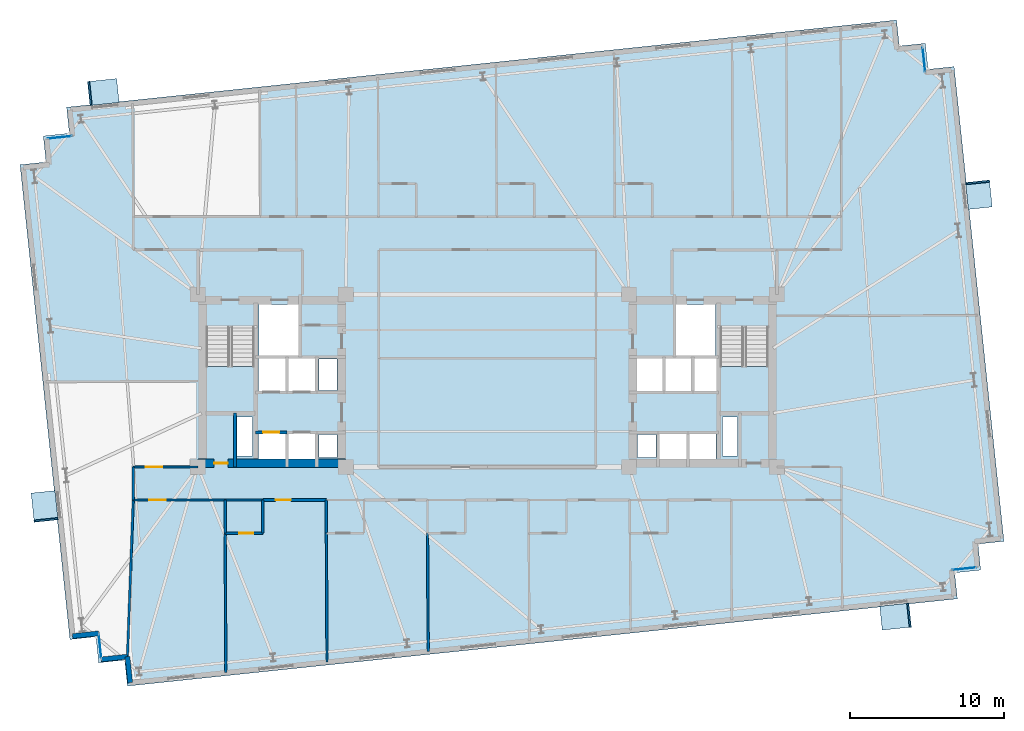
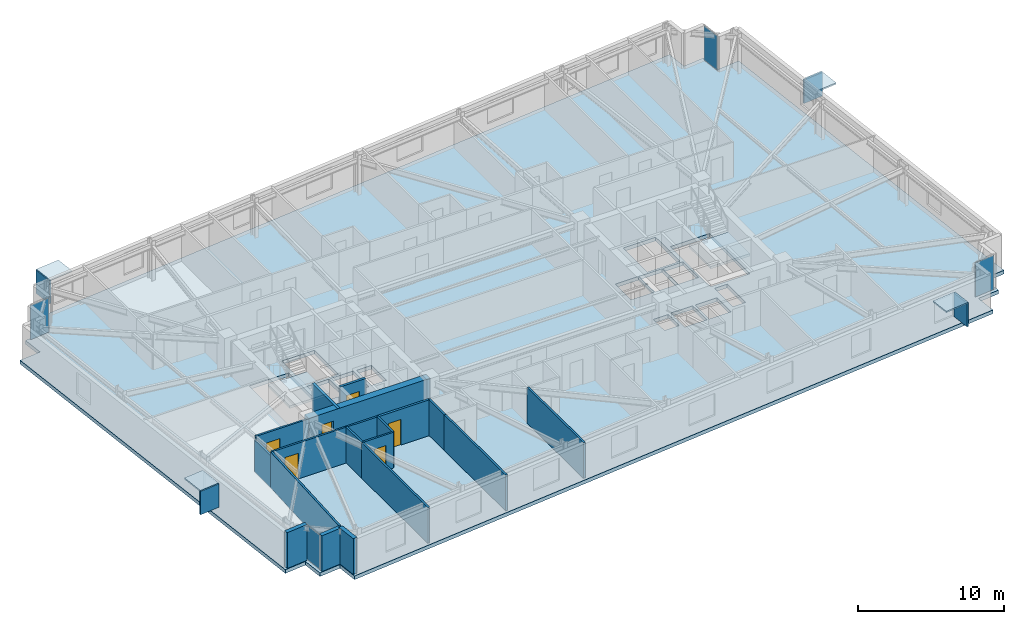
# One storey, part 11 of 19: 19 walls, 12 plates, 6 doors, 3 slabs, 6 openings, 6 elements without a shape of their own.
"""IFC4 building model written with IfcOpenShell, lengths in metres."""

from ifc_helpers import new_model, si_unit, direction, frame, frame_2d, origin, origin_2d, place, context, subcontext, project, spatial, polyline, rectangle, outline, extrude, material, layer, layer_set, type_object, element, fill, aggregate, save


model = new_model("IFC4")

# Units and contexts
model_context = context("Model", 3, precision=1e-05, world=origin(), true_north=direction((0.0, 1.0)))
body_context = subcontext(model_context, "Body", "Model", "MODEL_VIEW")
ifc_project = project(units=[si_unit("LENGTHUNIT", "METRE"), si_unit("AREAUNIT", "SQUARE_METRE"), si_unit("VOLUMEUNIT", "CUBIC_METRE"), si_unit("PLANEANGLEUNIT", "RADIAN"), si_unit("MASSUNIT", "GRAM", prefix="KILO")], contexts=[model_context])

# Site, building, storey
site_placement = place(None, origin())
site = spatial("IfcSite", under=ifc_project, at=site_placement, CompositionType="ELEMENT")
building_placement = place(site_placement, origin())
building = spatial("IfcBuilding", under=site, at=building_placement, Name="Qobustan Lattice House", CompositionType="ELEMENT")
storey_placement = place(building_placement, frame((0.0, 0.0, 122.550048828125)))
storey = spatial("IfcBuildingStorey", under=building, at=storey_placement, Name="L34", CompositionType="ELEMENT", Elevation=122.550048828125)

# Curtain wall, plate
ifc_material_1 = material(Name="Anodised aluminium and low-E glazing", Category="aluminium")
ifc_layer_1 = layer(ifc_material_1, 0.219970703125)
ifc_layer_set_1 = layer_set([ifc_layer_1], Name="Anodised aluminium and low-E glazing")
curtain_wall_type = type_object("IfcCurtainWallType", Name="CW-FAC-01", PredefinedType="USERDEFINED", material=ifc_layer_set_1)
curtain_wall_1_placement = place(storey_placement, origin())
curtain_wall_1 = element("IfcCurtainWall", 1, at=curtain_wall_1_placement, inside=storey, type_object=curtain_wall_type, Name="L34 serrated corner faceted glazing 3", ObjectType="CURTAIN WALL", PredefinedType="USERDEFINED")
ifc_material_2 = material(Name="Clear low-E laminated glass", Category="glass")
ifc_layer_2 = layer(ifc_material_2, 0.031982421875)
ifc_layer_set_2 = layer_set([ifc_layer_2], Name="Clear low-E laminated glass")
plate_type_1 = type_object("IfcPlateType", Name="CWP-VISION-32", PredefinedType="CURTAIN_PANEL", material=ifc_layer_set_2)
plate_1_placement = place(storey_placement, frame((-25.155029296875, -17.2509765625, 0.06494140625), z_axis=(0.0, 0.0, 1.0), x_axis=(-0.104528620025, 0.994521878892, 0.0)))
plate_1 = element("IfcPlate", 2, at=plate_1_placement, type_object=plate_type_1, Name="CW-F1 panel 1.1", PredefinedType="CURTAIN_PANEL", context=body_context, shape_type="SweptSolid", body=[
    extrude(rectangle(XDim=1.56005859375, YDim=0.031982421875, at=origin_2d()), origin(), (0.0, 0.0, 1.0), 2.8701171875),
])
aggregate(curtain_wall_1, [plate_1])

curtain_wall_2_placement = place(storey_placement, origin())
curtain_wall_2 = element("IfcCurtainWall", 3, at=curtain_wall_2_placement, inside=storey, type_object=curtain_wall_type, Name="L34 serrated corner faceted glazing 8", ObjectType="CURTAIN WALL", PredefinedType="USERDEFINED")
plate_2_placement = place(storey_placement, frame((-27.77490234375, 15.80615234375, 0.06494140625), z_axis=(0.0, 0.0, 1.0), x_axis=(0.994521878892, 0.104528620025, 0.0)))
plate_2 = element("IfcPlate", 4, at=plate_2_placement, type_object=plate_type_1, Name="CW-F1 panel 1.1", PredefinedType="CURTAIN_PANEL", context=body_context, shape_type="SweptSolid", body=[
    extrude(rectangle(XDim=1.56005859375, YDim=0.031982421875, at=origin_2d()), origin(), (0.0, 0.0, 1.0), 2.8701171875),
])
aggregate(curtain_wall_2, [plate_2])

curtain_wall_3_placement = place(storey_placement, origin())
curtain_wall_3 = element("IfcCurtainWall", 5, at=curtain_wall_3_placement, inside=storey, type_object=curtain_wall_type, Name="L34 serrated corner faceted glazing 13", ObjectType="CURTAIN WALL", PredefinedType="USERDEFINED")
plate_3_placement = place(storey_placement, frame((28.355224609375, 20.85107421875, 0.06494140625), z_axis=(0.0, 0.0, 1.0), x_axis=(0.104528620025, -0.994521878892, 0.0)))
plate_3 = element("IfcPlate", 6, at=plate_3_placement, type_object=plate_type_1, Name="CW-F1 panel 1.1", PredefinedType="CURTAIN_PANEL", context=body_context, shape_type="SweptSolid", body=[
    extrude(rectangle(XDim=1.56005859375, YDim=0.031982421875, at=origin_2d()), origin(), (0.0, 0.0, 1.0), 2.8701171875),
])
aggregate(curtain_wall_3, [plate_3])

curtain_wall_4_placement = place(storey_placement, origin())
curtain_wall_4 = element("IfcCurtainWall", 7, at=curtain_wall_4_placement, inside=storey, type_object=curtain_wall_type, Name="L34 serrated corner faceted glazing 18", ObjectType="CURTAIN WALL", PredefinedType="USERDEFINED")
plate_4_placement = place(storey_placement, frame((30.974853515625, -12.206298828125, 0.06494140625), z_axis=(0.0, 0.0, 1.0), x_axis=(-0.994521878892, -0.104528620025, 0.0)))
plate_4 = element("IfcPlate", 8, at=plate_4_placement, type_object=plate_type_1, Name="CW-F1 panel 1.1", PredefinedType="CURTAIN_PANEL", context=body_context, shape_type="SweptSolid", body=[
    extrude(rectangle(XDim=1.56005859375, YDim=0.031982421875, at=origin_2d()), origin(), (0.0, 0.0, 1.0), 2.8701171875),
])
aggregate(curtain_wall_4, [plate_4])

# Plates
ifc_material_3 = material(Name="Qobustan limestone GFRC", Category="masonry")
ifc_layer_3 = layer(ifc_material_3, 0.1201171875)
ifc_layer_set_3 = layer_set([ifc_layer_3], Name="Qobustan limestone GFRC")
plate_type_2 = type_object("IfcPlateType", Name="SHD-HOOD-BROW", PredefinedType="USERDEFINED", material=ifc_layer_set_3)
plate_5_placement = place(storey_placement, frame((-28.755615234375, -8.156494140625, 2.699951171875), z_axis=(0.0, 0.0, 1.0), x_axis=(-0.104528463268, 0.994521895368, 0.0)))
element("IfcPlate", 9, at=plate_5_placement, inside=storey, type_object=plate_type_2, Name="L34 splayed Qobustan stone hood brow", ObjectType="SUNSHADE", PredefinedType="USERDEFINED", context=body_context, shape_type="SweptSolid", body=[
    extrude(rectangle(XDim=1.889892578125, YDim=1.56005859375, at=origin_2d()), origin(), (0.0, 0.0, 1.0), 0.1201171875),
])
plate_6_placement = place(storey_placement, frame((-28.6630859375, -9.03662109375, 0.7900390625), z_axis=(0.0, 0.0, 1.0), x_axis=(-0.104528463268, 0.994521895368, 0.0)))
element("IfcPlate", 10, at=plate_6_placement, inside=storey, type_object=plate_type_2, Name="L34 splayed Qobustan stone hood cheek", ObjectType="SUNSHADE", PredefinedType="USERDEFINED", context=body_context, shape_type="SweptSolid", body=[
    extrude(rectangle(XDim=0.1201171875, YDim=1.56005859375, at=origin_2d()), origin(), (0.0, 0.0, 1.0), 1.969970703125),
])
plate_7_placement = place(storey_placement, frame((-24.935302734375, 18.7490234375, 2.699951171875), z_axis=(0.0, 0.0, 1.0), x_axis=(0.994521895368, 0.104528463268, 0.0)))
element("IfcPlate", 11, at=plate_7_placement, inside=storey, type_object=plate_type_2, Name="L34 splayed Qobustan stone hood brow", ObjectType="SUNSHADE", PredefinedType="USERDEFINED", context=body_context, shape_type="SweptSolid", body=[
    extrude(rectangle(XDim=1.889892578125, YDim=1.56005859375, at=origin_2d()), origin(), (0.0, 0.0, 1.0), 0.1201171875),
])
plate_8_placement = place(storey_placement, frame((-25.8154296875, 18.656494140625, 0.7900390625), z_axis=(0.0, 0.0, 1.0), x_axis=(0.994521895368, 0.104528463268, 0.0)))
element("IfcPlate", 12, at=plate_8_placement, inside=storey, type_object=plate_type_2, Name="L34 splayed Qobustan stone hood cheek", ObjectType="SUNSHADE", PredefinedType="USERDEFINED", context=body_context, shape_type="SweptSolid", body=[
    extrude(rectangle(XDim=0.1201171875, YDim=1.56005859375, at=origin_2d()), origin(), (0.0, 0.0, 1.0), 1.969970703125),
])
plate_9_placement = place(storey_placement, frame((31.922119140625, 12.074951171875, 2.699951171875), z_axis=(0.0, 0.0, 1.0), x_axis=(0.104528463268, -0.994521895368, 0.0)))
element("IfcPlate", 13, at=plate_9_placement, inside=storey, type_object=plate_type_2, Name="L34 splayed Qobustan stone hood brow", ObjectType="SUNSHADE", PredefinedType="USERDEFINED", context=body_context, shape_type="SweptSolid", body=[
    extrude(rectangle(XDim=1.739990234375, YDim=1.56005859375, at=origin_2d()), origin(), (0.0, 0.0, 1.0), 0.1201171875),
])
plate_10_placement = place(storey_placement, frame((31.83740234375, 12.880615234375, 0.7900390625), z_axis=(0.0, 0.0, 1.0), x_axis=(0.104528463268, -0.994521895368, 0.0)))
element("IfcPlate", 14, at=plate_10_placement, inside=storey, type_object=plate_type_2, Name="L34 splayed Qobustan stone hood cheek", ObjectType="SUNSHADE", PredefinedType="USERDEFINED", context=body_context, shape_type="SweptSolid", body=[
    extrude(rectangle(XDim=0.1201171875, YDim=1.56005859375, at=origin_2d()), origin(), (0.0, 0.0, 1.0), 1.969970703125),
])
plate_11_placement = place(storey_placement, frame((26.503173828125, -15.32080078125, 2.699951171875), z_axis=(0.0, 0.0, 1.0), x_axis=(-0.994521895368, -0.104528463268, 0.0)))
element("IfcPlate", 15, at=plate_11_placement, inside=storey, type_object=plate_type_2, Name="L34 splayed Qobustan stone hood brow", ObjectType="SUNSHADE", PredefinedType="USERDEFINED", context=body_context, shape_type="SweptSolid", body=[
    extrude(rectangle(XDim=1.889892578125, YDim=1.56005859375, at=origin_2d()), origin(), (0.0, 0.0, 1.0), 0.1201171875),
])
plate_12_placement = place(storey_placement, frame((27.38330078125, -15.228271484375, 0.7900390625), z_axis=(0.0, 0.0, 1.0), x_axis=(-0.994521895368, -0.104528463268, 0.0)))
element("IfcPlate", 16, at=plate_12_placement, inside=storey, type_object=plate_type_2, Name="L34 splayed Qobustan stone hood cheek", ObjectType="SUNSHADE", PredefinedType="USERDEFINED", context=body_context, shape_type="SweptSolid", body=[
    extrude(rectangle(XDim=0.1201171875, YDim=1.56005859375, at=origin_2d()), origin(), (0.0, 0.0, 1.0), 1.969970703125),
])

# Slab
ifc_material_4 = material(Name="Concrete C40/50", Category="concrete")
ifc_layer_4 = layer(ifc_material_4, 0.304931640625)
ifc_layer_set_4 = layer_set([ifc_layer_4], Name="Concrete C40/50")
slab_type_1 = type_object("IfcSlabType", Name="SLB-FLR-305", PredefinedType="FLOOR", material=ifc_layer_set_4)
slab_1_placement = place(storey_placement, frame((0.0, 0.0, -0.304931640625)))
element("IfcSlab", 17, at=slab_1_placement, inside=storey, type_object=slab_type_1, Name="L34 structural floor slab", PredefinedType="FLOOR", context=body_context, shape_type="SweptSolid", body=[
    extrude(outline(polyline([(-23.3759765625, -19.8291015625), (30.527099609375, -14.163818359375), (30.349365234375, -12.47314453125), (32.0400390625, -12.29541015625), (31.8623046875, -10.604736328125), (33.552978515625, -10.427001953125), (30.312744140625, 20.4033203125), (28.6220703125, 20.2255859375), (28.4443359375, 21.916259765625), (26.753662109375, 21.738525390625), (26.575927734375, 23.42919921875), (-27.3271484375, 17.763671875), (-27.1494140625, 16.072998046875), (-28.840087890625, 15.8955078125), (-28.662353515625, 14.20458984375), (-30.35302734375, 14.027099609375), (-27.11279296875, -16.80322265625), (-25.422119140625, -16.62548828125), (-25.244384765625, -18.316162109375), (-23.5537109375, -18.138427734375), (-23.3759765625, -19.8291015625)]), holes=[polyline([(-18.25, -2.050048828125), (-18.25, 3.489990234375), (-15.1298828125, 3.489990234375), (-15.1298828125, -2.050048828125), (-18.25, -2.050048828125)]), polyline([(15.1298828125, -2.050048828125), (15.1298828125, 3.489990234375), (18.25, 3.489990234375), (18.25, -2.050048828125), (15.1298828125, -2.050048828125)]), polyline([(-14.820068359375, 1.64990234375), (-14.820068359375, 4.9599609375), (-12.25, 4.9599609375), (-12.25, 1.64990234375), (-14.820068359375, 1.64990234375)]), polyline([(12.25, 1.64990234375), (12.25, 4.9599609375), (14.820068359375, 4.9599609375), (14.820068359375, 1.64990234375), (12.25, 1.64990234375)]), polyline([(-16.260009765625, -4.8798828125), (-16.260009765625, -2.360107421875), (-15.260009765625, -2.360107421875), (-15.260009765625, -4.8798828125), (-16.260009765625, -4.8798828125)]), polyline([(15.260009765625, -4.8798828125), (15.260009765625, -2.360107421875), (16.260009765625, -2.360107421875), (16.260009765625, -4.8798828125), (15.260009765625, -4.8798828125)]), polyline([(-14.85009765625, -5.35009765625), (-14.85009765625, -3.419921875), (-13.1201171875, -3.419921875), (-13.1201171875, -5.35009765625), (-14.85009765625, -5.35009765625)]), polyline([(-12.919921875, -5.35009765625), (-12.919921875, -3.419921875), (-11.179931640625, -3.419921875), (-11.179931640625, -5.35009765625), (-12.919921875, -5.35009765625)]), polyline([(-14.85009765625, -0.679931640625), (-14.85009765625, 1.47998046875), (-13.1201171875, 1.47998046875), (-13.1201171875, -0.679931640625), (-14.85009765625, -0.679931640625)]), polyline([(-12.919921875, -0.679931640625), (-12.919921875, 1.47998046875), (-11.179931640625, 1.47998046875), (-11.179931640625, -0.679931640625), (-12.919921875, -0.679931640625)]), polyline([(-10.93994140625, -5.0), (-10.93994140625, -3.47998046875), (-9.760009765625, -3.47998046875), (-9.760009765625, -5.0), (-10.93994140625, -5.0)]), polyline([(-10.93994140625, -0.6201171875), (-10.93994140625, 1.419921875), (-9.760009765625, 1.419921875), (-9.760009765625, -0.6201171875), (-10.93994140625, -0.6201171875)]), polyline([(11.179931640625, -5.35009765625), (11.179931640625, -3.419921875), (12.919921875, -3.419921875), (12.919921875, -5.35009765625), (11.179931640625, -5.35009765625)]), polyline([(13.1201171875, -5.35009765625), (13.1201171875, -3.419921875), (14.85009765625, -3.419921875), (14.85009765625, -5.35009765625), (13.1201171875, -5.35009765625)]), polyline([(9.760009765625, -5.0), (9.760009765625, -3.47998046875), (10.93994140625, -3.47998046875), (10.93994140625, -5.0), (9.760009765625, -5.0)]), polyline([(13.360107421875, -0.679931640625), (13.360107421875, 1.47998046875), (14.97998046875, 1.47998046875), (14.97998046875, -0.679931640625), (13.360107421875, -0.679931640625)]), polyline([(9.6201171875, -0.679931640625), (9.6201171875, 1.47998046875), (11.43994140625, 1.47998046875), (11.43994140625, -0.679931640625), (9.6201171875, -0.679931640625)]), polyline([(11.5, -0.679931640625), (11.5, 1.47998046875), (13.320068359375, 1.47998046875), (13.320068359375, -0.679931640625), (11.5, -0.679931640625)])]), origin(), (0.0, 0.0, 1.0), 0.304931640625),
])

# Stair, slab
ifc_material_5 = material(Name="Concrete C40/50", Category="concrete")
stair_type = type_object("IfcStairType", Name="STR-CORE-DOGLEG", PredefinedType="HALF_TURN_STAIR", material=ifc_material_5)
stair_1_placement = place(storey_placement, origin())
stair_1 = element("IfcStair", 18, at=stair_1_placement, inside=storey, type_object=stair_type, Name="L34 West protected exit stair ST-W1", PredefinedType="HALF_TURN_STAIR")
ifc_material_6 = material(Name="Concrete C40/50", Category="concrete")
ifc_layer_5 = layer(ifc_material_6, 0.199951171875)
ifc_layer_set_5 = layer_set([ifc_layer_5], Name="Concrete C40/50")
slab_type_2 = type_object("IfcSlabType", Name="SLB-LANDING-200", PredefinedType="LANDING", material=ifc_layer_set_5)
slab_2_placement = place(storey_placement, frame((0.0, 0.0, 1.474853515625)))
slab_2 = element("IfcSlab", 19, at=slab_2_placement, type_object=slab_type_2, Name="ST-W1 landing 1", PredefinedType="LANDING", context=body_context, shape_type="SweptSolid", body=[
    extrude(outline(polyline([(-18.25, 0.93505859375), (-18.25, -2.050048828125), (-15.1298828125, -2.050048828125), (-15.1298828125, 0.93505859375), (-18.25, 0.93505859375)])), origin(), (0.0, 0.0, 1.0), 0.2001953125),
])
aggregate(stair_1, [slab_2])

stair_2_placement = place(storey_placement, origin())
stair_2 = element("IfcStair", 20, at=stair_2_placement, inside=storey, type_object=stair_type, Name="L34 East protected exit stair ST-E1", PredefinedType="HALF_TURN_STAIR")
slab_3_placement = place(storey_placement, frame((0.0, 0.0, 1.474853515625)))
slab_3 = element("IfcSlab", 21, at=slab_3_placement, type_object=slab_type_2, Name="ST-E1 landing 1", PredefinedType="LANDING", context=body_context, shape_type="SweptSolid", body=[
    extrude(outline(polyline([(15.1298828125, 0.93505859375), (15.1298828125, -2.050048828125), (18.25, -2.050048828125), (18.25, 0.93505859375), (15.1298828125, 0.93505859375)])), origin(), (0.0, 0.0, 1.0), 0.2001953125),
])
aggregate(stair_2, [slab_3])

# Wall, opening, door
ifc_material_7 = material(Name="Concrete C60/75", Category="concrete")
ifc_layer_6 = layer(ifc_material_7, 0.56005859375)
ifc_layer_set_6 = layer_set([ifc_layer_6], Name="Concrete C60/75")
wall_type_1 = type_object("IfcWallType", Name="WAL-CORE-600", PredefinedType="SHEAR", material=ifc_layer_set_6)
wall_1_placement = place(storey_placement, frame((-18.800048828125, -5.35009765625, 0.0), z_axis=(0.0, 0.0, 1.0), x_axis=(1.0, 0.0, 0.0)))
wall_1 = element("IfcWall", 22, at=wall_1_placement, inside=storey, type_object=wall_type_1, Name="L34 split-core shear wall CW-S", PredefinedType="SHEAR", context=body_context, shape_type="SweptSolid", body=[
    extrude(rectangle(XDim=9.60009765625, YDim=0.56005859375, at=frame_2d((4.800048828125, 0.0))), origin(), (0.0, 0.0, 1.0), 3.0),
])
opening_1_placement = place(wall_1_placement, frame((1.050048828125, 0.0, 0.0)))
opening_1 = element("IfcOpeningElement", 23, at=opening_1_placement, cuts=wall_1, Name="Opening RD-01", PredefinedType="OPENING", context=body_context, shape_type="SweptSolid", body=[
    extrude(rectangle(XDim=0.89990234375, YDim=2.10009765625, at=frame_2d((0.449951171875, 1.050048828125))), frame((0.0, 0.2900390625, 0.0), z_axis=(0.0, -1.0, 0.0), x_axis=(1.0, 0.0, 0.0)), (0.0, 0.0, 1.0), 0.580078125),
])
ifc_material_8 = material(Name="Persian walnut timber and steel frame door", Category="steel")
door_type_1 = type_object("IfcDoorType", Name="DOR-RISER-FD-900x2100", OperationType="NOTDEFINED", PredefinedType="DOOR", material=ifc_material_8)
door_1_placement = place(opening_1_placement, origin())
door_1 = element("IfcDoor", 24, at=door_1_placement, inside=storey, type_object=door_type_1, Name="L34 core service riser access door W", OperationType="SINGLE_SWING_RIGHT", OverallHeight=2.10009765625, OverallWidth=0.89990234375, PredefinedType="DOOR", context=body_context, shape_type="SweptSolid", body=[
    extrude(rectangle(XDim=0.89990234375, YDim=2.10009765625, at=frame_2d((0.449951171875, 1.050048828125))), frame((0.0, 0.02490234375, 0.0), z_axis=(0.0, -1.0, 0.0), x_axis=(1.0, 0.0, 0.0)), (0.0, 0.0, 1.0), 0.050048828125),
])
fill(opening_1, door_1)

# Walls
ifc_material_9 = material(Name="Precast concrete C40/50", Category="concrete")
ifc_layer_7 = layer(ifc_material_9, 0.320068359375)
ifc_layer_set_7 = layer_set([ifc_layer_7], Name="Precast concrete C40/50")
wall_type_2 = type_object("IfcWallType", Name="WAL-EXT-STONE-320", PredefinedType="SOLIDWALL", material=ifc_layer_set_7)
for number, where, z_axis, x_axis, name in (
    (25, (-23.197998046875, -19.609375, 0.0), (0.0, 0.0, 1.0), (-0.104550220202, 0.994519608382, 0.0), "L34 exterior limestone-clad wall 1"),
    (26, (-23.375732421875, -17.918701171875, 0.0), (0.0, 0.0, 1.0), (-0.994519608382, -0.104550220202, 0.0), "L34 exterior limestone-clad wall 2"),
):
    element("IfcWall", number, at=place(storey_placement, frame(where, z_axis=z_axis, x_axis=x_axis)), inside=storey, type_object=wall_type_2, Name=name, PredefinedType="SOLIDWALL", context=body_context, shape_type="SweptSolid", body=[
        extrude(rectangle(XDim=1.699951171875, YDim=0.320068359375, at=frame_2d((0.85009765625, 0.0))), origin(), (0.0, 0.0, 1.0), 3.0),
    ])
wall_2_placement = place(storey_placement, frame((-25.243896484375, -16.40576171875, 0.0), z_axis=(0.0, 0.0, 1.0), x_axis=(-0.994521177842, -0.104535289845, 0.0)))
element("IfcWall", 27, at=wall_2_placement, inside=storey, type_object=wall_type_2, Name="L34 exterior limestone-clad wall 4", PredefinedType="SOLIDWALL", context=body_context, shape_type="SweptSolid", body=[
    extrude(rectangle(XDim=1.7001953125, YDim=0.320068359375, at=frame_2d((0.85009765625, 0.0))), origin(), (0.0, 0.0, 1.0), 3.0),
])

# Wall, opening, door
ifc_material_10 = material(Name="Gypsum fireboard acoustic partition", Category="gypsum")
ifc_layer_8 = layer(ifc_material_10, 0.179931640625)
ifc_layer_set_8 = layer_set([ifc_layer_8], Name="Gypsum fireboard acoustic partition")
wall_type_3 = type_object("IfcWallType", Name="WAL-FIRE-180", PredefinedType="PARTITIONING", material=ifc_layer_set_8)
wall_3_placement = place(storey_placement, frame((-10.45703125, -7.75, 0.0), z_axis=(0.0, 0.0, 1.0), x_axis=(-1.0, 0.0, 0.0)))
wall_3 = element("IfcWall", 28, at=wall_3_placement, inside=storey, type_object=wall_type_3, Name="L34 interior partition 58", PredefinedType="PARTITIONING", context=body_context, shape_type="SweptSolid", body=[
    extrude(rectangle(XDim=4.1220703125, YDim=0.179931640625, at=frame_2d((2.06103515625, 0.0))), origin(), (0.0, 0.0, 1.0), 3.0),
])
opening_2_placement = place(wall_3_placement, frame((2.296630859375, 0.0, 0.0)))
opening_2 = element("IfcOpeningElement", 29, at=opening_2_placement, cuts=wall_3, Name="Opening FD-02", PredefinedType="OPENING", context=body_context, shape_type="SweptSolid", body=[
    extrude(rectangle(XDim=1.0, YDim=2.14990234375, at=frame_2d((0.5, 1.074951171875))), frame((0.0, 0.099853515625, 0.0), z_axis=(0.0, -1.0, 0.0), x_axis=(1.0, 0.0, 0.0)), (0.0, 0.0, 1.0), 0.199951171875),
])
ifc_material_11 = material(Name="Persian walnut timber and steel frame door", Category="steel")
door_type_2 = type_object("IfcDoorType", Name="DOR-UNIT-FD-1000x2150", OperationType="NOTDEFINED", PredefinedType="DOOR", material=ifc_material_11)
door_2_placement = place(opening_2_placement, origin())
door_2 = element("IfcDoor", 30, at=door_2_placement, inside=storey, type_object=door_type_2, Name="L34 South-west floor corridor to Kitchenette and studio apartment L34-S2 door", OperationType="SINGLE_SWING_RIGHT", OverallHeight=2.14990234375, OverallWidth=1.0, PredefinedType="DOOR", context=body_context, shape_type="SweptSolid", body=[
    extrude(rectangle(XDim=1.0, YDim=2.14990234375, at=frame_2d((0.5, 1.074951171875))), frame((0.0, 0.02490234375, 0.0), z_axis=(0.0, -1.0, 0.0), x_axis=(1.0, 0.0, 0.0)), (0.0, 0.0, 1.0), 0.050048828125),
])
fill(opening_2, door_2)

ifc_material_12 = material(Name="Acoustic twin-stud gypsum partition", Category="gypsum")
ifc_layer_9 = layer(ifc_material_12, 0.14990234375)
ifc_layer_set_9 = layer_set([ifc_layer_9], Name="Acoustic twin-stud gypsum partition")
wall_type_4 = type_object("IfcWallType", Name="WAL-PART-150", PredefinedType="PARTITIONING", material=ifc_layer_set_9)
wall_4_placement = place(storey_placement, frame((-23.0, -5.60009765625, 0.0), z_axis=(0.0, 0.0, 1.0), x_axis=(1.0, 0.0, 0.0)))
wall_4 = element("IfcWall", 31, at=wall_4_placement, inside=storey, type_object=wall_type_4, Name="L34 interior partition 55", PredefinedType="PARTITIONING", context=body_context, shape_type="SweptSolid", body=[
    extrude(rectangle(XDim=4.199951171875, YDim=0.14990234375, at=frame_2d((2.10009765625, 0.0))), origin(), (0.0, 0.0, 1.0), 3.0),
])
opening_3_placement = place(wall_4_placement, frame((0.82861328125, 0.0, 0.0)))
opening_3 = element("IfcOpeningElement", 32, at=opening_3_placement, cuts=wall_4, Name="Opening ID-02", PredefinedType="OPENING", context=body_context, shape_type="SweptSolid", body=[
    extrude(rectangle(XDim=1.050048828125, YDim=2.14990234375, at=frame_2d((0.52490234375, 1.074951171875))), frame((0.0, 0.0849609375, 0.0), z_axis=(0.0, -1.0, 0.0), x_axis=(1.0, 0.0, 0.0)), (0.0, 0.0, 1.0), 0.169921875),
])
ifc_material_13 = material(Name="Persian walnut timber and steel frame door", Category="steel")
door_type_3 = type_object("IfcDoorType", Name="DOR-STUDY-1050x2150", OperationType="NOTDEFINED", PredefinedType="DOOR", material=ifc_material_13)
door_3_placement = place(opening_3_placement, origin())
door_3 = element("IfcDoor", 33, at=door_3_placement, inside=storey, type_object=door_type_3, Name="L34 South-west floor corridor to Fellows reading room door", OperationType="SINGLE_SWING_RIGHT", OverallHeight=2.14990234375, OverallWidth=1.050048828125, PredefinedType="DOOR", context=body_context, shape_type="SweptSolid", body=[
    extrude(rectangle(XDim=1.050048828125, YDim=2.14990234375, at=frame_2d((0.52490234375, 1.074951171875))), frame((0.0, 0.02490234375, 0.0), z_axis=(0.0, -1.0, 0.0), x_axis=(1.0, 0.0, 0.0)), (0.0, 0.0, 1.0), 0.050048828125),
])
fill(opening_3, door_3)

# Wall
wall_5_placement = place(storey_placement, frame((-23.0, -7.75, 0.0), z_axis=(0.0, 0.0, 1.0), x_axis=(0.0, 1.0, 0.0)))
element("IfcWall", 34, at=wall_5_placement, inside=storey, type_object=wall_type_4, Name="L34 interior partition 56", PredefinedType="PARTITIONING", context=body_context, shape_type="SweptSolid", body=[
    extrude(rectangle(XDim=2.14990234375, YDim=0.14990234375, at=frame_2d((1.074951171875, 0.0))), origin(), (0.0, 0.0, 1.0), 2.655029296875),
])

# Wall, opening, door
wall_6_placement = place(storey_placement, frame((-17.029052734375, -7.75, 0.0), z_axis=(0.0, 0.0, 1.0), x_axis=(-1.0, 0.0, 0.0)))
wall_6 = element("IfcWall", 35, at=wall_6_placement, inside=storey, type_object=wall_type_4, Name="L34 interior partition 57", PredefinedType="PARTITIONING", context=body_context, shape_type="SweptSolid", body=[
    extrude(rectangle(XDim=5.970947265625, YDim=0.14990234375, at=frame_2d((2.9853515625, 0.0))), origin(), (0.0, 0.0, 1.0), 3.0),
])
opening_4_placement = place(wall_6_placement, frame((3.870849609375, 0.0, 0.0)))
opening_4 = element("IfcOpeningElement", 36, at=opening_4_placement, cuts=wall_6, Name="Opening ID-02", PredefinedType="OPENING", context=body_context, shape_type="SweptSolid", body=[
    extrude(rectangle(XDim=1.050048828125, YDim=2.14990234375, at=frame_2d((0.52490234375, 1.074951171875))), frame((0.0, 0.0849609375, 0.0), z_axis=(0.0, -1.0, 0.0), x_axis=(1.0, 0.0, 0.0)), (0.0, 0.0, 1.0), 0.169921875),
])
door_4_placement = place(opening_4_placement, origin())
door_4 = element("IfcDoor", 37, at=door_4_placement, inside=storey, type_object=door_type_3, Name="L34 South-west floor corridor to Focus study room S1 door", OperationType="SINGLE_SWING_LEFT", OverallHeight=2.14990234375, OverallWidth=1.050048828125, PredefinedType="DOOR", context=body_context, shape_type="SweptSolid", body=[
    extrude(rectangle(XDim=1.050048828125, YDim=2.14990234375, at=frame_2d((0.52490234375, 1.074951171875))), frame((0.0, 0.02490234375, 0.0), z_axis=(0.0, -1.0, 0.0), x_axis=(1.0, 0.0, 0.0)), (0.0, 0.0, 1.0), 0.050048828125),
])
fill(opening_4, door_4)

# Walls
wall_7_placement = place(storey_placement, frame((-23.0, -7.75, 0.0), z_axis=(0.0, 0.0, 1.0), x_axis=(-0.036924695214, -0.999318050914, 0.0)))
element("IfcWall", 38, at=wall_7_placement, inside=storey, type_object=wall_type_4, Name="L34 interior partition 79", PredefinedType="PARTITIONING", context=body_context, shape_type="SweptSolid", body=[
    extrude(rectangle(XDim=10.175537109375, YDim=0.14990234375, at=frame_2d((5.087890625, 0.0))), origin(), (0.0, 0.0, 1.0), 3.0),
])
wall_8_placement = place(storey_placement, frame((-17.029052734375, -9.89990234375, 0.0), z_axis=(0.0, 0.0, 1.0), x_axis=(0.004852348859, -0.999988227286, 0.0)))
element("IfcWall", 39, at=wall_8_placement, inside=storey, type_object=wall_type_4, Name="L34 interior partition 100", PredefinedType="PARTITIONING", context=body_context, shape_type="SweptSolid", body=[
    extrude(rectangle(XDim=9.056396484375, YDim=0.14990234375, at=frame_2d((4.5283203125, 0.0))), origin(), (0.0, 0.0, 1.0), 3.0),
])
wall_9_placement = place(storey_placement, frame((-10.45703125, -9.89990234375, 0.0), z_axis=(0.0, 0.0, 1.0), x_axis=(0.005252948012, -0.999986203173, 0.0)))
element("IfcWall", 40, at=wall_9_placement, inside=storey, type_object=wall_type_4, Name="L34 interior partition 104", PredefinedType="PARTITIONING", context=body_context, shape_type="SweptSolid", body=[
    extrude(rectangle(XDim=8.36572265625, YDim=0.14990234375, at=frame_2d((4.182861328125, 0.0))), origin(), (0.0, 0.0, 1.0), 3.0),
])
wall_10_placement = place(storey_placement, frame((-3.885986328125, -9.89990234375, 0.0), z_axis=(0.0, 0.0, 1.0), x_axis=(0.005725643334, -0.99998360837, 0.0)))
element("IfcWall", 41, at=wall_10_placement, inside=storey, type_object=wall_type_4, Name="L34 interior partition 108", PredefinedType="PARTITIONING", context=body_context, shape_type="SweptSolid", body=[
    extrude(rectangle(XDim=7.67529296875, YDim=0.14990234375, at=frame_2d((3.837646484375, 0.0))), origin(), (0.0, 0.0, 1.0), 3.0),
])
ifc_material_14 = material(Name="Concrete C40/50", Category="concrete")
ifc_layer_10 = layer(ifc_material_14, 0.199951171875)
ifc_layer_set_10 = layer_set([ifc_layer_10], Name="Concrete C40/50")
wall_type_5 = type_object("IfcWallType", Name="WAL-SHAFT-200", PredefinedType="PARTITIONING", material=ifc_layer_set_10)
wall_11_placement = place(storey_placement, frame((-16.39990234375, -5.60009765625, 0.0), z_axis=(0.0, 0.0, 1.0), x_axis=(0.0, 1.0, 0.0)))
element("IfcWall", 42, at=wall_11_placement, inside=storey, type_object=wall_type_5, Name="L34 interior partition 1", PredefinedType="PARTITIONING", context=body_context, shape_type="SweptSolid", body=[
    extrude(rectangle(XDim=3.489990234375, YDim=0.199951171875, at=frame_2d((1.7451171875, 0.0))), origin(), (0.0, 0.0, 1.0), 3.0),
])

# Wall, opening, door
wall_12_placement = place(storey_placement, frame((-15.050048828125, -3.35009765625, 0.0), z_axis=(0.0, 0.0, 1.0), x_axis=(1.0, 0.0, 0.0)))
wall_12 = element("IfcWall", 43, at=wall_12_placement, inside=storey, type_object=wall_type_5, Name="L34 interior partition 9", PredefinedType="PARTITIONING", context=body_context, shape_type="SweptSolid", body=[
    extrude(rectangle(XDim=2.030029296875, YDim=0.199951171875, at=frame_2d((1.01513671875, 0.0))), origin(), (0.0, 0.0, 1.0), 3.0),
])
opening_5_placement = place(wall_12_placement, frame((0.489990234375, 0.0, 0.0)))
opening_5 = element("IfcOpeningElement", 44, at=opening_5_placement, cuts=wall_12, Name="Opening LD-01", PredefinedType="OPENING", context=body_context, shape_type="SweptSolid", body=[
    extrude(rectangle(XDim=1.050048828125, YDim=2.10009765625, at=frame_2d((0.52490234375, 1.050048828125))), frame((0.0, 0.10986328125, 0.0), z_axis=(0.0, -1.0, 0.0), x_axis=(1.0, 0.0, 0.0)), (0.0, 0.0, 1.0), 0.219970703125),
])
ifc_material_15 = material(Name="Persian walnut timber and steel frame door", Category="steel")
door_type_4 = type_object("IfcDoorType", Name="DOR-LIFT-LD-1050x2100", OperationType="NOTDEFINED", PredefinedType="DOOR", material=ifc_material_15)
door_5_placement = place(opening_5_placement, origin())
door_5 = element("IfcDoor", 45, at=door_5_placement, inside=storey, type_object=door_type_4, Name="L34 lift landing door", OperationType="DOUBLE_DOOR_SLIDING", OverallHeight=2.10009765625, OverallWidth=1.050048828125, PredefinedType="DOOR", context=body_context, shape_type="SweptSolid", body=[
    extrude(rectangle(XDim=1.050048828125, YDim=2.10009765625, at=frame_2d((0.52490234375, 1.050048828125))), frame((0.0, 0.02490234375, 0.0), z_axis=(0.0, -1.0, 0.0), x_axis=(1.0, 0.0, 0.0)), (0.0, 0.0, 1.0), 0.050048828125),
])
fill(opening_5, door_5)

# Walls
ifc_material_16 = material(Name="Moisture-resistant acoustic plumbing wall", Category="gypsum")
ifc_layer_11 = layer(ifc_material_16, 0.14990234375)
ifc_layer_set_11 = layer_set([ifc_layer_11], Name="Moisture-resistant acoustic plumbing wall")
wall_type_6 = type_object("IfcWallType", Name="WAL-WET-150", PredefinedType="PLUMBINGWALL", material=ifc_layer_set_11)
wall_13_placement = place(storey_placement, frame((-14.5791015625, -7.75, 0.0), z_axis=(0.0, 0.0, 1.0), x_axis=(-1.0, 0.0, 0.0)))
element("IfcWall", 46, at=wall_13_placement, inside=storey, type_object=wall_type_6, Name="L34 interior partition 59", PredefinedType="PLUMBINGWALL", context=body_context, shape_type="SweptSolid", body=[
    extrude(rectangle(XDim=2.449951171875, YDim=0.14990234375, at=frame_2d((1.22509765625, 0.0))), origin(), (0.0, 0.0, 1.0), 3.0),
])
wall_14_placement = place(storey_placement, frame((-17.029052734375, -7.75, 0.0), z_axis=(0.0, 0.0, 1.0), x_axis=(0.0, -1.0, 0.0)))
element("IfcWall", 47, at=wall_14_placement, inside=storey, type_object=wall_type_6, Name="L34 interior partition 101", PredefinedType="PLUMBINGWALL", context=body_context, shape_type="SweptSolid", body=[
    extrude(rectangle(XDim=2.14990234375, YDim=0.14990234375, at=frame_2d((1.074951171875, 0.0))), origin(), (0.0, 0.0, 1.0), 3.0),
])

# Wall, opening, door
wall_15_placement = place(storey_placement, frame((-17.029052734375, -9.89990234375, 0.0), z_axis=(0.0, 0.0, 1.0), x_axis=(1.0, 0.0, 0.0)))
wall_15 = element("IfcWall", 48, at=wall_15_placement, inside=storey, type_object=wall_type_6, Name="L34 interior partition 102", PredefinedType="PLUMBINGWALL", context=body_context, shape_type="SweptSolid", body=[
    extrude(rectangle(XDim=2.449951171875, YDim=0.14990234375, at=frame_2d((1.22509765625, 0.0))), origin(), (0.0, 0.0, 1.0), 3.0),
])
opening_6_placement = place(wall_15_placement, frame((0.921142578125, 0.0, 0.0)))
opening_6 = element("IfcOpeningElement", 49, at=opening_6_placement, cuts=wall_15, Name="Opening WD-01", PredefinedType="OPENING", context=body_context, shape_type="SweptSolid", body=[
    extrude(rectangle(XDim=0.89990234375, YDim=2.10009765625, at=frame_2d((0.449951171875, 1.050048828125))), frame((0.0, 0.0849609375, 0.0), z_axis=(0.0, -1.0, 0.0), x_axis=(1.0, 0.0, 0.0)), (0.0, 0.0, 1.0), 0.169921875),
])
ifc_material_17 = material(Name="Persian walnut timber and steel frame door", Category="steel")
door_type_5 = type_object("IfcDoorType", Name="DOR-WET-900x2100", OperationType="NOTDEFINED", PredefinedType="DOOR", material=ifc_material_17)
door_6_placement = place(opening_6_placement, origin())
door_6 = element("IfcDoor", 50, at=door_6_placement, inside=storey, type_object=door_type_5, Name="L34 Kitchenette and studio apartment L34-S2 to En-suite bathroom L34-S2 door", OperationType="SINGLE_SWING_LEFT", OverallHeight=2.10009765625, OverallWidth=0.89990234375, PredefinedType="DOOR", context=body_context, shape_type="SweptSolid", body=[
    extrude(rectangle(XDim=0.89990234375, YDim=2.10009765625, at=frame_2d((0.449951171875, 1.050048828125))), frame((0.0, 0.02490234375, 0.0), z_axis=(0.0, -1.0, 0.0), x_axis=(1.0, 0.0, 0.0)), (0.0, 0.0, 1.0), 0.050048828125),
])
fill(opening_6, door_6)

# Walls
for number, where, z_axis, x_axis, name in (
    (51, (-14.5791015625, -9.89990234375, 0.0), (0.0, 0.0, 1.0), (0.0, 1.0, 0.0), "L34 interior partition 103"),
    (52, (-10.45703125, -7.75, 0.0), (0.0, 0.0, 1.0), (0.0, -1.0, 0.0), "L34 interior partition 105"),
):
    element("IfcWall", number, at=place(storey_placement, frame(where, z_axis=z_axis, x_axis=x_axis)), inside=storey, type_object=wall_type_6, Name=name, PredefinedType="PLUMBINGWALL", context=body_context, shape_type="SweptSolid", body=[
        extrude(rectangle(XDim=2.14990234375, YDim=0.14990234375, at=frame_2d((1.074951171875, 0.0))), origin(), (0.0, 0.0, 1.0), 3.0),
    ])

save(model, "model.ifc")
